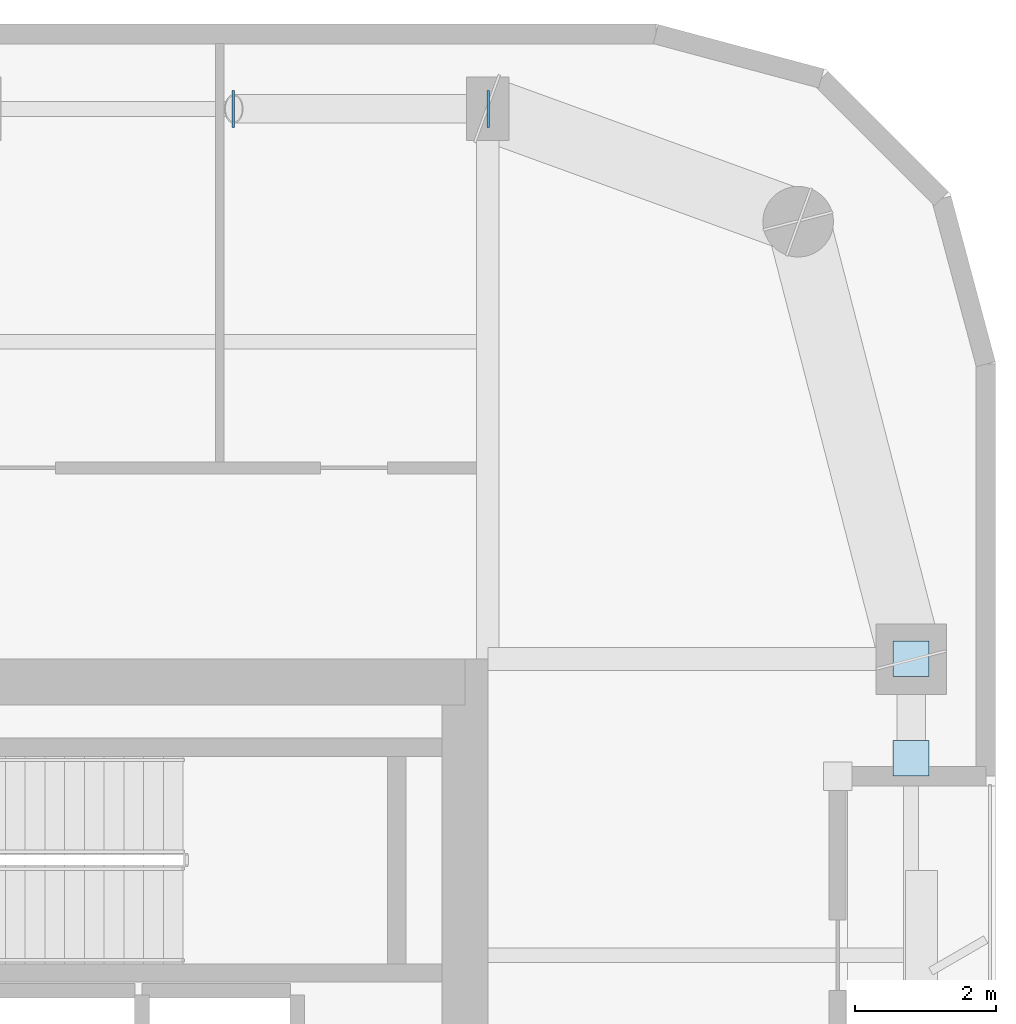
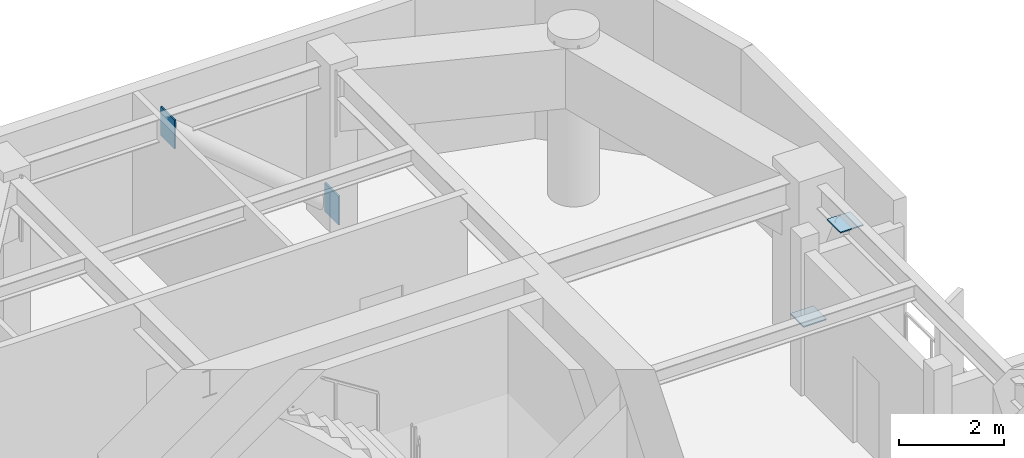
# One storey, part 9 of 15: 4 plates.
"""IFC4 building model written with IfcOpenShell, lengths in metres."""

from ifc_helpers import new_model, si_unit, direction, frame, origin, origin_2d, place, context, subcontext, project, spatial, rectangle, extrude, material, layer, layer_set, type_object, element, save


model = new_model("IFC4")

# Units and contexts
model_context = context("Model", 3, precision=1e-05, world=origin(), true_north=direction((0.0, 1.0)))
body_context = subcontext(model_context, "Body", "Model", "MODEL_VIEW")
ifc_project = project(units=[si_unit("LENGTHUNIT", "METRE"), si_unit("AREAUNIT", "SQUARE_METRE"), si_unit("VOLUMEUNIT", "CUBIC_METRE"), si_unit("PLANEANGLEUNIT", "RADIAN"), si_unit("MASSUNIT", "GRAM", prefix="KILO")], contexts=[model_context])

# Site, building, storey
site_placement = place(None, origin())
site = spatial("IfcSite", under=ifc_project, at=site_placement, CompositionType="ELEMENT")
building_placement = place(site_placement, origin())
building = spatial("IfcBuilding", under=site, at=building_placement, Name="Kiyonajd Concourse Tower", CompositionType="ELEMENT")
storey_placement = place(building_placement, frame((0.0, 0.0, 258.89990234375)))
storey = spatial("IfcBuildingStorey", under=building, at=storey_placement, Name="L65", CompositionType="ELEMENT", Elevation=258.89990234375)

# Plates
ifc_material = material(Name="Steel ASTM A572 Grade 50", Category="steel")
ifc_layer = layer(ifc_material, 0.028076171875)
ifc_layer_set = layer_set([ifc_layer], Name="Steel ASTM A572 Grade 50")
plate_type = type_object("IfcPlateType", Name="PL-CAP-450", PredefinedType="USERDEFINED", material=ifc_layer_set)
for number, where, z_axis, x_axis, name in (
    (1, (63.6083984375, 52.199951171875, -0.04248046875), (0.0, 0.0, 1.0), (1.0, 0.0, 0.0), "L65 Hollow Brace End Cap Plate PBN"),
    (2, (59.99169921875, 52.199951171875, 3.001708984375), (0.0, 0.0, 1.0), (-1.0, 0.0, 0.0), "L65 Hollow Brace Top Cap Plate PBN"),
):
    element("IfcPlate", number, at=place(storey_placement, frame(where, z_axis=z_axis, x_axis=x_axis)), inside=storey, type_object=plate_type, Name=name, ObjectType="CAP PLATE", PredefinedType="USERDEFINED", context=body_context, shape_type="SweptSolid", body=[
        extrude(rectangle(XDim=0.035888671875, YDim=0.52587890625, at=origin_2d()), origin(), (0.0, 0.0, 1.0), 0.6708984375),
    ])
for number, where, z_axis, x_axis, name in (
    (3, (69.60009765625, 44.404541015625, 0.27587890625), (0.0, 0.0, 1.0), (1.0, 0.0, 0.0), "L65 Hollow Brace End Cap Plate PBE"),
    (4, (69.60009765625, 42.995361328125, 3.326171875), (0.0, 0.0, 1.0), (1.0, 0.0, 0.0), "L65 Hollow Brace Top Cap Plate PBE"),
):
    element("IfcPlate", number, at=place(storey_placement, frame(where, z_axis=z_axis, x_axis=x_axis)), inside=storey, type_object=plate_type, Name=name, ObjectType="CAP PLATE", PredefinedType="USERDEFINED", context=body_context, shape_type="SweptSolid", body=[
        extrude(rectangle(XDim=0.506103515625, YDim=0.506103515625, at=origin_2d()), origin(), (0.0, 0.0, 1.0), 0.028076171875),
    ])

save(model, "model.ifc")
